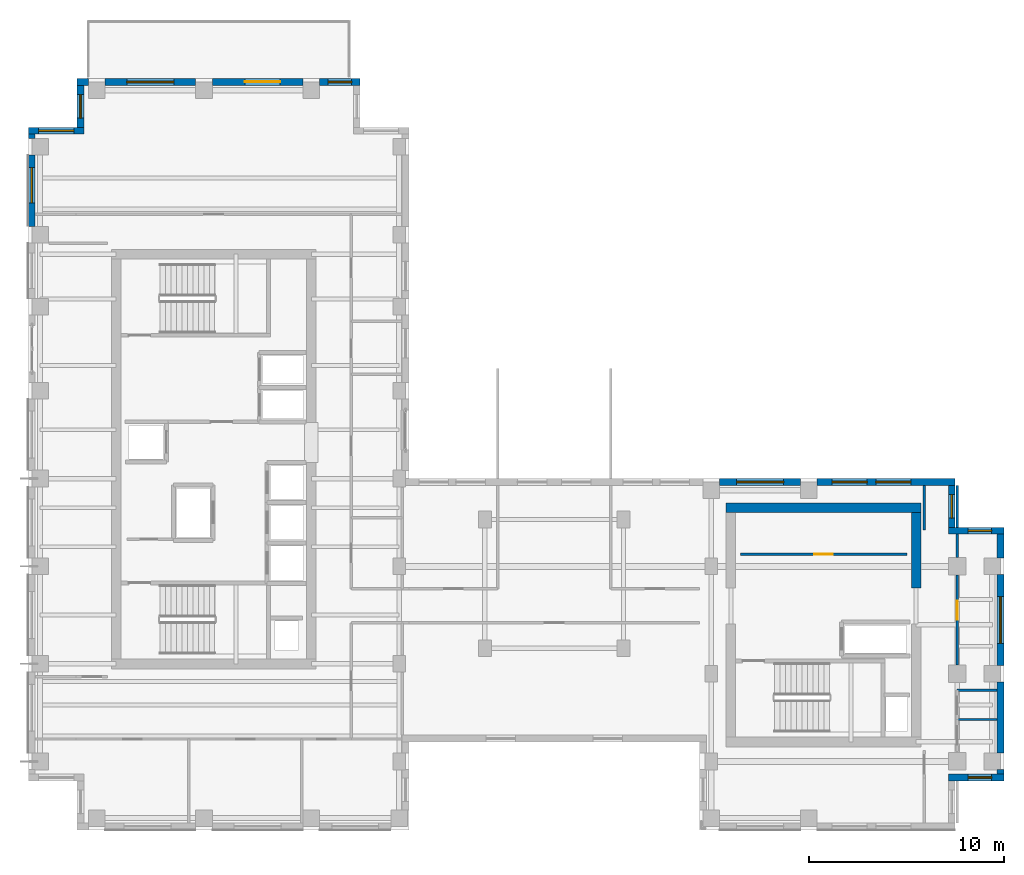
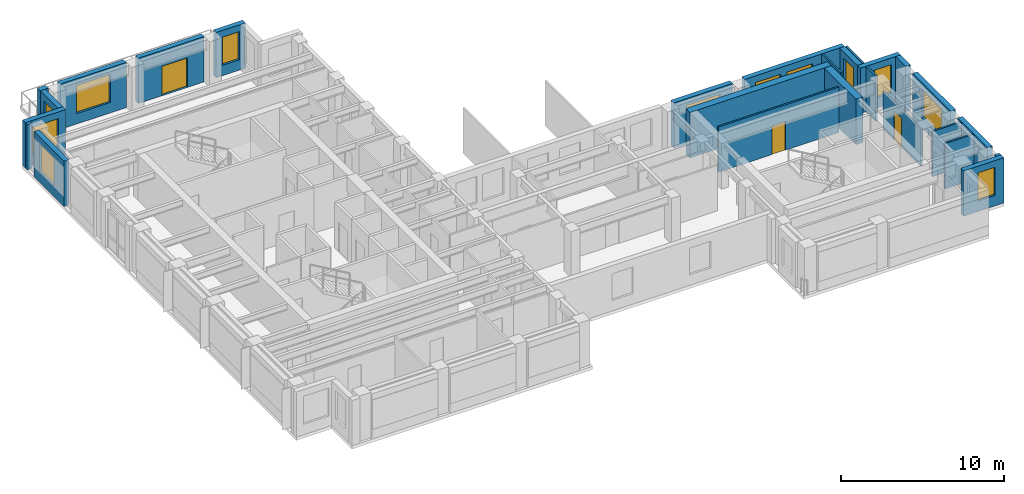
# One storey, part 10 of 14: 26 walls, 12 windows, 3 doors, 15 openings.
"""IFC4 building model written with IfcOpenShell, lengths in metres."""

from ifc_helpers import new_model, si_unit, direction, frame, frame_2d, origin, place, context, subcontext, project, spatial, rectangle, extrude, source, transform, mapped, material, layer, layer_set, type_object, element, fill, save


model = new_model("IFC4")

# Units and contexts
model_context = context("Model", 3, precision=1e-05, world=origin(), true_north=direction((0.0, 1.0)))
body_context = subcontext(model_context, "Body", "Model", "MODEL_VIEW")
ifc_project = project(units=[si_unit("LENGTHUNIT", "METRE"), si_unit("AREAUNIT", "SQUARE_METRE"), si_unit("VOLUMEUNIT", "CUBIC_METRE"), si_unit("PLANEANGLEUNIT", "RADIAN"), si_unit("MASSUNIT", "GRAM", prefix="KILO")], contexts=[model_context])

# Site, building, storey
site_placement = place(None, origin())
site = spatial("IfcSite", under=ifc_project, at=site_placement, CompositionType="ELEMENT")
building_placement = place(site_placement, origin())
building = spatial("IfcBuilding", under=site, at=building_placement, Name="Kharzan Plaza Tower", CompositionType="ELEMENT")
storey_placement = place(building_placement, frame((0.0, 0.0, 212.39990234375)))
storey = spatial("IfcBuildingStorey", under=building, at=storey_placement, Name="L57", CompositionType="ELEMENT", Elevation=212.39990234375)

# Wall, opening, window
ifc_material_1 = material(Name="Concrete C40/50", Category="concrete")
ifc_layer_1 = layer(ifc_material_1, 0.35009765625)
ifc_layer_set_1 = layer_set([ifc_layer_1], Name="Concrete C40/50")
wall_type_1 = type_object("IfcWallType", Name="WL-EXT-MAS-Z4", PredefinedType="SOLIDWALL", material=ifc_layer_set_1)
wall_1_placement = place(storey_placement, frame((17.0, 38.324951171875, 0.0), z_axis=(0.0, 0.0, 1.0), x_axis=(-1.0, 0.0, 0.0)))
wall_1 = element("IfcWall", 1, at=wall_1_placement, inside=storey, type_object=wall_type_1, Name="L57 Masonry-Frame Exterior Wall 03", PredefinedType="SOLIDWALL", context=body_context, shape_type="SweptSolid", body=[
    extrude(rectangle(XDim=2.076904296875, YDim=0.35009765625, at=frame_2d((1.03857421875, 0.0))), origin(), (0.0, 0.0, 1.0), 3.385009765625),
])
opening_1_placement = place(wall_1_placement, frame((0.4384765625, 0.0, 0.780029296875)))
opening_1 = element("IfcOpeningElement", 2, at=opening_1_placement, cuts=wall_1, Name="Opening W3", PredefinedType="OPENING", context=body_context, shape_type="SweptSolid", body=[
    extrude(rectangle(XDim=1.199951171875, YDim=2.10009765625, at=frame_2d((0.60009765625, 1.050048828125))), frame((0.0, 0.18505859375, 0.0), z_axis=(0.0, -1.0, 0.0), x_axis=(1.0, 0.0, 0.0)), (0.0, 0.0, 1.0), 0.3701171875),
])
ifc_material_2 = material(Name="Low-E Double Glazing", Category="glass")
window_type_1 = type_object("IfcWindowType", Name="WN-REC-1200x2100", PartitioningType="SINGLE_PANEL", PredefinedType="WINDOW", material=ifc_material_2)
shared_shape_1 = source(origin(), body_context, "Body", "SweptSolid", [
    extrude(rectangle(XDim=1.199951171875, YDim=2.10009765625, at=frame_2d((0.60009765625, 1.050048828125))), frame((0.0, 0.030029296875, 0.0), z_axis=(0.0, -1.0, 0.0), x_axis=(1.0, 0.0, 0.0)), (0.0, 0.0, 1.0), 0.06005859375),
])
window_1_placement = place(opening_1_placement, origin())
window_1 = element("IfcWindow", 3, at=window_1_placement, inside=storey, type_object=window_type_1, Name="L57 Recessed Solar-Control Window 03-1", OverallHeight=2.10009765625, OverallWidth=1.199951171875, PartitioningType="SINGLE_PANEL", PredefinedType="WINDOW", context=body_context, shape_type="MappedRepresentation", body=[
    mapped(shared_shape_1, transform((0.0, 0.0, 0.0), x_axis=(1.0, 0.0, 0.0), y_axis=(0.0, 1.0, 0.0), z_axis=(0.0, 0.0, 1.0))),
])
fill(opening_1, window_1)

# Wall, opening, door
wall_2_placement = place(storey_placement, frame((14.076904296875, 38.324951171875, 0.0), z_axis=(0.0, 0.0, 1.0), x_axis=(-1.0, 0.0, 0.0)))
wall_2 = element("IfcWall", 4, at=wall_2_placement, inside=storey, type_object=wall_type_1, Name="L57 Masonry-Frame Exterior Wall 04", PredefinedType="SOLIDWALL", context=body_context, shape_type="SweptSolid", body=[
    extrude(rectangle(XDim=4.65380859375, YDim=0.35009765625, at=frame_2d((2.326904296875, 0.0))), origin(), (0.0, 0.0, 1.0), 3.385009765625),
])
opening_2_placement = place(wall_2_placement, frame((1.177001953125, 0.0, 0.0)))
opening_2 = element("IfcOpeningElement", 5, at=opening_2_placement, cuts=wall_2, Name="Opening ED2", PredefinedType="OPENING", context=body_context, shape_type="SweptSolid", body=[
    extrude(rectangle(XDim=1.800048828125, YDim=2.199951171875, at=frame_2d((0.89990234375, 1.10009765625))), frame((0.0, 0.18505859375, 0.0), z_axis=(0.0, -1.0, 0.0), x_axis=(1.0, 0.0, 0.0)), (0.0, 0.0, 1.0), 0.3701171875),
])
ifc_material_3 = material(Name="Thermally Broken Anodized Bronze Aluminium", Category="aluminium")
door_type_1 = type_object("IfcDoorType", Name="DR-EXT-TERR-1800", OperationType="DOUBLE_DOOR_SINGLE_SWING", PredefinedType="DOOR", material=ifc_material_3)
shared_shape_2 = source(origin(), body_context, "Body", "SweptSolid", [
    extrude(rectangle(XDim=1.800048828125, YDim=2.199951171875, at=frame_2d((0.89990234375, 1.10009765625))), frame((0.0, 0.02490234375, 0.0), z_axis=(0.0, -1.0, 0.0), x_axis=(1.0, 0.0, 0.0)), (0.0, 0.0, 1.0), 0.050048828125),
])
door_1_placement = place(opening_2_placement, frame((1.800048828125, 0.0, 0.0), z_axis=(0.0, 0.0, 1.0), x_axis=(-1.0, 0.0, 0.0)))
door_1 = element("IfcDoor", 6, at=door_1_placement, inside=storey, type_object=door_type_1, Name="L57 Walkable Sky-Terrace Access Door", OperationType="DOUBLE_DOOR_SINGLE_SWING", OverallHeight=2.199951171875, OverallWidth=1.800048828125, PredefinedType="DOOR", context=body_context, shape_type="MappedRepresentation", body=[
    mapped(shared_shape_2, transform((0.0, 0.0, 0.0), x_axis=(1.0, 0.0, 0.0), y_axis=(0.0, 1.0, 0.0), z_axis=(0.0, 0.0, 1.0))),
])
fill(opening_2, door_1)

# Wall, opening, window
wall_3_placement = place(storey_placement, frame((8.576904296875, 38.324951171875, 0.0), z_axis=(0.0, 0.0, 1.0), x_axis=(-1.0, 0.0, 0.0)))
wall_3 = element("IfcWall", 7, at=wall_3_placement, inside=storey, type_object=wall_type_1, Name="L57 Masonry-Frame Exterior Wall 05", PredefinedType="SOLIDWALL", context=body_context, shape_type="SweptSolid", body=[
    extrude(rectangle(XDim=4.65380859375, YDim=0.35009765625, at=frame_2d((2.326904296875, 0.0))), origin(), (0.0, 0.0, 1.0), 3.385009765625),
])
opening_3_placement = place(wall_3_placement, frame((1.126953125, 0.0, 0.780029296875)))
opening_3 = element("IfcOpeningElement", 8, at=opening_3_placement, cuts=wall_3, Name="Opening W2", PredefinedType="OPENING", context=body_context, shape_type="SweptSolid", body=[
    extrude(rectangle(XDim=2.39990234375, YDim=2.10009765625, at=frame_2d((1.199951171875, 1.050048828125))), frame((0.0, 0.18505859375, 0.0), z_axis=(0.0, -1.0, 0.0), x_axis=(1.0, 0.0, 0.0)), (0.0, 0.0, 1.0), 0.3701171875),
])
window_type_2 = type_object("IfcWindowType", Name="WN-REC-2400x2100", PartitioningType="SINGLE_PANEL", PredefinedType="WINDOW", material=ifc_material_2)
shared_shape_3 = source(origin(), body_context, "Body", "SweptSolid", [
    extrude(rectangle(XDim=2.39990234375, YDim=2.10009765625, at=frame_2d((1.199951171875, 1.050048828125))), frame((0.0, 0.030029296875, 0.0), z_axis=(0.0, -1.0, 0.0), x_axis=(1.0, 0.0, 0.0)), (0.0, 0.0, 1.0), 0.06005859375),
])
window_2_placement = place(opening_3_placement, origin())
window_2 = element("IfcWindow", 9, at=window_2_placement, inside=storey, type_object=window_type_2, Name="L57 Wide Recessed Solar-Control Window 05-1", OverallHeight=2.10009765625, OverallWidth=2.39990234375, PartitioningType="SINGLE_PANEL", PredefinedType="WINDOW", context=body_context, shape_type="MappedRepresentation", body=[
    mapped(shared_shape_3, transform((0.0, 0.0, 0.0), x_axis=(1.0, 0.0, 0.0), y_axis=(0.0, 1.0, 0.0), z_axis=(0.0, 0.0, 1.0))),
])
fill(opening_3, window_2)

wall_4_placement = place(storey_placement, frame((2.675048828125, 38.152099609375, 0.0), z_axis=(0.0, 0.0, 1.0), x_axis=(0.0, -1.0, 0.0)))
wall_4 = element("IfcWall", 10, at=wall_4_placement, inside=storey, type_object=wall_type_1, Name="L57 Masonry-Frame Exterior Wall 07", PredefinedType="SOLIDWALL", context=body_context, shape_type="SweptSolid", body=[
    extrude(rectangle(XDim=2.154052734375, YDim=0.35009765625, at=frame_2d((1.0771484375, 0.0))), origin(), (0.0, 0.0, 1.0), 3.385009765625),
])
opening_4_placement = place(wall_4_placement, frame((0.47705078125, 0.0, 0.780029296875)))
opening_4 = element("IfcOpeningElement", 11, at=opening_4_placement, cuts=wall_4, Name="Opening W3", PredefinedType="OPENING", context=body_context, shape_type="SweptSolid", body=[
    extrude(rectangle(XDim=1.199951171875, YDim=2.10009765625, at=frame_2d((0.60009765625, 1.050048828125))), frame((0.0, 0.18505859375, 0.0), z_axis=(0.0, -1.0, 0.0), x_axis=(1.0, 0.0, 0.0)), (0.0, 0.0, 1.0), 0.3701171875),
])
window_3_placement = place(opening_4_placement, origin())
window_3 = element("IfcWindow", 12, at=window_3_placement, inside=storey, type_object=window_type_1, Name="L57 Recessed Solar-Control Window 07-1", OverallHeight=2.10009765625, OverallWidth=1.199951171875, PartitioningType="SINGLE_PANEL", PredefinedType="WINDOW", context=body_context, shape_type="MappedRepresentation", body=[
    mapped(shared_shape_1, transform((0.0, 0.0, 0.0), x_axis=(1.0, 0.0, 0.0), y_axis=(0.0, 1.0, 0.0), z_axis=(0.0, 0.0, 1.0))),
])
fill(opening_4, window_3)

wall_5_placement = place(storey_placement, frame((2.85009765625, 35.824951171875, 0.0), z_axis=(0.0, 0.0, 1.0), x_axis=(-1.0, 0.0, 0.0)))
wall_5 = element("IfcWall", 13, at=wall_5_placement, inside=storey, type_object=wall_type_1, Name="L57 Masonry-Frame Exterior Wall 08", PredefinedType="SOLIDWALL", context=body_context, shape_type="SweptSolid", body=[
    extrude(rectangle(XDim=2.85009765625, YDim=0.35009765625, at=frame_2d((1.425048828125, 0.0))), origin(), (0.0, 0.0, 1.0), 3.385009765625),
])
opening_5_placement = place(wall_5_placement, frame((0.52490234375, 0.0, 0.780029296875)))
opening_5 = element("IfcOpeningElement", 14, at=opening_5_placement, cuts=wall_5, Name="Opening W1", PredefinedType="OPENING", context=body_context, shape_type="SweptSolid", body=[
    extrude(rectangle(XDim=1.800048828125, YDim=2.10009765625, at=frame_2d((0.89990234375, 1.050048828125))), frame((0.0, 0.18505859375, 0.0), z_axis=(0.0, -1.0, 0.0), x_axis=(1.0, 0.0, 0.0)), (0.0, 0.0, 1.0), 0.3701171875),
])
window_type_3 = type_object("IfcWindowType", Name="WN-REC-1800x2100", PartitioningType="SINGLE_PANEL", PredefinedType="WINDOW", material=ifc_material_2)
shared_shape_4 = source(origin(), body_context, "Body", "SweptSolid", [
    extrude(rectangle(XDim=1.800048828125, YDim=2.10009765625, at=frame_2d((0.89990234375, 1.050048828125))), frame((0.0, 0.030029296875, 0.0), z_axis=(0.0, -1.0, 0.0), x_axis=(1.0, 0.0, 0.0)), (0.0, 0.0, 1.0), 0.06005859375),
])
window_4_placement = place(opening_5_placement, origin())
window_4 = element("IfcWindow", 15, at=window_4_placement, inside=storey, type_object=window_type_3, Name="L57 Recessed Solar-Control Window 08-1", OverallHeight=2.10009765625, OverallWidth=1.800048828125, PartitioningType="SINGLE_PANEL", PredefinedType="WINDOW", context=body_context, shape_type="MappedRepresentation", body=[
    mapped(shared_shape_4, transform((0.0, 0.0, 0.0), x_axis=(1.0, 0.0, 0.0), y_axis=(0.0, 1.0, 0.0), z_axis=(0.0, 0.0, 1.0))),
])
fill(opening_5, window_4)

wall_6_placement = place(storey_placement, frame((0.175048828125, 34.576904296875, 0.0), z_axis=(0.0, 0.0, 1.0), x_axis=(0.0, -1.0, 0.0)))
wall_6 = element("IfcWall", 16, at=wall_6_placement, inside=storey, type_object=wall_type_1, Name="L57 Masonry-Frame Exterior Wall 10", PredefinedType="SOLIDWALL", context=body_context, shape_type="SweptSolid", body=[
    extrude(rectangle(XDim=3.65380859375, YDim=0.35009765625, at=frame_2d((1.826904296875, 0.0))), origin(), (0.0, 0.0, 1.0), 3.385009765625),
])
opening_6_placement = place(wall_6_placement, frame((0.6484375, 0.0, 0.780029296875)))
opening_6 = element("IfcOpeningElement", 17, at=opening_6_placement, cuts=wall_6, Name="Opening W1", PredefinedType="OPENING", context=body_context, shape_type="SweptSolid", body=[
    extrude(rectangle(XDim=1.800048828125, YDim=2.10009765625, at=frame_2d((0.89990234375, 1.050048828125))), frame((0.0, 0.18505859375, 0.0), z_axis=(0.0, -1.0, 0.0), x_axis=(1.0, 0.0, 0.0)), (0.0, 0.0, 1.0), 0.3701171875),
])
window_5_placement = place(opening_6_placement, origin())
window_5 = element("IfcWindow", 18, at=window_5_placement, inside=storey, type_object=window_type_3, Name="L57 Recessed Solar-Control Window 10-1", OverallHeight=2.10009765625, OverallWidth=1.800048828125, PartitioningType="SINGLE_PANEL", PredefinedType="WINDOW", context=body_context, shape_type="MappedRepresentation", body=[
    mapped(shared_shape_4, transform((0.0, 0.0, 0.0), x_axis=(1.0, 0.0, 0.0), y_axis=(0.0, 1.0, 0.0), z_axis=(0.0, 0.0, 1.0))),
])
fill(opening_6, window_5)

wall_7_placement = place(storey_placement, frame((47.14990234375, 2.675048828125, 0.0), z_axis=(0.0, 0.0, 1.0), x_axis=(1.0, 0.0, 0.0)))
wall_7 = element("IfcWall", 19, at=wall_7_placement, inside=storey, type_object=wall_type_1, Name="L57 Masonry-Frame Exterior Wall 33", PredefinedType="SOLIDWALL", context=body_context, shape_type="SweptSolid", body=[
    extrude(rectangle(XDim=2.85009765625, YDim=0.35009765625, at=frame_2d((1.425048828125, 0.0))), origin(), (0.0, 0.0, 1.0), 3.385009765625),
])
opening_7_placement = place(wall_7_placement, frame((1.014892578125, 0.0, 0.780029296875)))
opening_7 = element("IfcOpeningElement", 20, at=opening_7_placement, cuts=wall_7, Name="Opening W3", PredefinedType="OPENING", context=body_context, shape_type="SweptSolid", body=[
    extrude(rectangle(XDim=1.199951171875, YDim=2.10009765625, at=frame_2d((0.60009765625, 1.050048828125))), frame((0.0, 0.18505859375, 0.0), z_axis=(0.0, -1.0, 0.0), x_axis=(1.0, 0.0, 0.0)), (0.0, 0.0, 1.0), 0.3701171875),
])
window_6_placement = place(opening_7_placement, origin())
window_6 = element("IfcWindow", 21, at=window_6_placement, inside=storey, type_object=window_type_1, Name="L57 Recessed Solar-Control Window 33-1", OverallHeight=2.10009765625, OverallWidth=1.199951171875, PartitioningType="SINGLE_PANEL", PredefinedType="WINDOW", context=body_context, shape_type="MappedRepresentation", body=[
    mapped(shared_shape_1, transform((0.0, 0.0, 0.0), x_axis=(1.0, 0.0, 0.0), y_axis=(0.0, 1.0, 0.0), z_axis=(0.0, 0.0, 1.0))),
])
fill(opening_7, window_6)

wall_8_placement = place(storey_placement, frame((49.824951171875, 8.423095703125, 0.0), z_axis=(0.0, 0.0, 1.0), x_axis=(0.0, 1.0, 0.0)))
wall_8 = element("IfcWall", 22, at=wall_8_placement, inside=storey, type_object=wall_type_1, Name="L57 Masonry-Frame Exterior Wall 36", PredefinedType="SOLIDWALL", context=body_context, shape_type="SweptSolid", body=[
    extrude(rectangle(XDim=4.65380859375, YDim=0.35009765625, at=frame_2d((2.326904296875, 0.0))), origin(), (0.0, 0.0, 1.0), 3.385009765625),
])
opening_8_placement = place(wall_8_placement, frame((1.126953125, 0.0, 0.780029296875)))
opening_8 = element("IfcOpeningElement", 23, at=opening_8_placement, cuts=wall_8, Name="Opening W2", PredefinedType="OPENING", context=body_context, shape_type="SweptSolid", body=[
    extrude(rectangle(XDim=2.39990234375, YDim=2.10009765625, at=frame_2d((1.199951171875, 1.050048828125))), frame((0.0, 0.18505859375, 0.0), z_axis=(0.0, -1.0, 0.0), x_axis=(1.0, 0.0, 0.0)), (0.0, 0.0, 1.0), 0.3701171875),
])
window_7_placement = place(opening_8_placement, origin())
window_7 = element("IfcWindow", 24, at=window_7_placement, inside=storey, type_object=window_type_2, Name="L57 Wide Recessed Solar-Control Window 36-1", OverallHeight=2.10009765625, OverallWidth=2.39990234375, PartitioningType="SINGLE_PANEL", PredefinedType="WINDOW", context=body_context, shape_type="MappedRepresentation", body=[
    mapped(shared_shape_3, transform((0.0, 0.0, 0.0), x_axis=(1.0, 0.0, 0.0), y_axis=(0.0, 1.0, 0.0), z_axis=(0.0, 0.0, 1.0))),
])
fill(opening_8, window_7)

wall_9_placement = place(storey_placement, frame((50.0, 15.324951171875, 0.0), z_axis=(0.0, 0.0, 1.0), x_axis=(-1.0, 0.0, 0.0)))
wall_9 = element("IfcWall", 25, at=wall_9_placement, inside=storey, type_object=wall_type_1, Name="L57 Masonry-Frame Exterior Wall 38", PredefinedType="SOLIDWALL", context=body_context, shape_type="SweptSolid", body=[
    extrude(rectangle(XDim=2.85009765625, YDim=0.35009765625, at=frame_2d((1.425048828125, 0.0))), origin(), (0.0, 0.0, 1.0), 3.385009765625),
])
opening_9_placement = place(wall_9_placement, frame((0.635009765625, 0.0, 0.780029296875)))
opening_9 = element("IfcOpeningElement", 26, at=opening_9_placement, cuts=wall_9, Name="Opening W3", PredefinedType="OPENING", context=body_context, shape_type="SweptSolid", body=[
    extrude(rectangle(XDim=1.199951171875, YDim=2.10009765625, at=frame_2d((0.60009765625, 1.050048828125))), frame((0.0, 0.18505859375, 0.0), z_axis=(0.0, -1.0, 0.0), x_axis=(1.0, 0.0, 0.0)), (0.0, 0.0, 1.0), 0.3701171875),
])
window_8_placement = place(opening_9_placement, origin())
window_8 = element("IfcWindow", 27, at=window_8_placement, inside=storey, type_object=window_type_1, Name="L57 Recessed Solar-Control Window 38-1", OverallHeight=2.10009765625, OverallWidth=1.199951171875, PartitioningType="SINGLE_PANEL", PredefinedType="WINDOW", context=body_context, shape_type="MappedRepresentation", body=[
    mapped(shared_shape_1, transform((0.0, 0.0, 0.0), x_axis=(1.0, 0.0, 0.0), y_axis=(0.0, 1.0, 0.0), z_axis=(0.0, 0.0, 1.0))),
])
fill(opening_9, window_8)

wall_10_placement = place(storey_placement, frame((47.324951171875, 15.498046875, 0.0), z_axis=(0.0, 0.0, 1.0), x_axis=(0.0, 1.0, 0.0)))
wall_10 = element("IfcWall", 28, at=wall_10_placement, inside=storey, type_object=wall_type_1, Name="L57 Masonry-Frame Exterior Wall 39", PredefinedType="SOLIDWALL", context=body_context, shape_type="SweptSolid", body=[
    extrude(rectangle(XDim=2.154052734375, YDim=0.35009765625, at=frame_2d((1.0771484375, 0.0))), origin(), (0.0, 0.0, 1.0), 3.385009765625),
])
opening_10_placement = place(wall_10_placement, frame((0.47705078125, 0.0, 0.780029296875)))
opening_10 = element("IfcOpeningElement", 29, at=opening_10_placement, cuts=wall_10, Name="Opening W3", PredefinedType="OPENING", context=body_context, shape_type="SweptSolid", body=[
    extrude(rectangle(XDim=1.199951171875, YDim=2.10009765625, at=frame_2d((0.60009765625, 1.050048828125))), frame((0.0, 0.18505859375, 0.0), z_axis=(0.0, -1.0, 0.0), x_axis=(1.0, 0.0, 0.0)), (0.0, 0.0, 1.0), 0.3701171875),
])
window_9_placement = place(opening_10_placement, origin())
window_9 = element("IfcWindow", 30, at=window_9_placement, inside=storey, type_object=window_type_1, Name="L57 Recessed Solar-Control Window 39-1", OverallHeight=2.10009765625, OverallWidth=1.199951171875, PartitioningType="SINGLE_PANEL", PredefinedType="WINDOW", context=body_context, shape_type="MappedRepresentation", body=[
    mapped(shared_shape_1, transform((0.0, 0.0, 0.0), x_axis=(1.0, 0.0, 0.0), y_axis=(0.0, 1.0, 0.0), z_axis=(0.0, 0.0, 1.0))),
])
fill(opening_10, window_9)

# Wall, openings, windows
wall_11_placement = place(storey_placement, frame((47.5, 17.824951171875, 0.0), z_axis=(0.0, 0.0, 1.0), x_axis=(-1.0, 0.0, 0.0)))
wall_11 = element("IfcWall", 31, at=wall_11_placement, inside=storey, type_object=wall_type_1, Name="L57 Masonry-Frame Exterior Wall 40", PredefinedType="SOLIDWALL", context=body_context, shape_type="SweptSolid", body=[
    extrude(rectangle(XDim=7.076904296875, YDim=0.35009765625, at=frame_2d((3.53857421875, 0.0))), origin(), (0.0, 0.0, 1.0), 3.385009765625),
])
opening_11_placement = place(wall_11_placement, frame((2.272216796875, 0.0, 0.780029296875)))
opening_11 = element("IfcOpeningElement", 32, at=opening_11_placement, cuts=wall_11, Name="Opening W1", PredefinedType="OPENING", context=body_context, shape_type="SweptSolid", body=[
    extrude(rectangle(XDim=1.800048828125, YDim=2.10009765625, at=frame_2d((0.89990234375, 1.050048828125))), frame((0.0, 0.18505859375, 0.0), z_axis=(0.0, -1.0, 0.0), x_axis=(1.0, 0.0, 0.0)), (0.0, 0.0, 1.0), 0.3701171875),
])
opening_12_placement = place(wall_11_placement, frame((4.5146484375, 0.0, 0.780029296875)))
opening_12 = element("IfcOpeningElement", 33, at=opening_12_placement, cuts=wall_11, Name="Opening W1", PredefinedType="OPENING", context=body_context, shape_type="SweptSolid", body=[
    extrude(rectangle(XDim=1.800048828125, YDim=2.10009765625, at=frame_2d((0.89990234375, 1.050048828125))), frame((0.0, 0.18505859375, 0.0), z_axis=(0.0, -1.0, 0.0), x_axis=(1.0, 0.0, 0.0)), (0.0, 0.0, 1.0), 0.3701171875),
])
window_10_placement = place(opening_11_placement, origin())
window_10 = element("IfcWindow", 34, at=window_10_placement, inside=storey, type_object=window_type_3, Name="L57 Recessed Solar-Control Window 40-1", OverallHeight=2.10009765625, OverallWidth=1.800048828125, PartitioningType="SINGLE_PANEL", PredefinedType="WINDOW", context=body_context, shape_type="MappedRepresentation", body=[
    mapped(shared_shape_4, transform((0.0, 0.0, 0.0), x_axis=(1.0, 0.0, 0.0), y_axis=(0.0, 1.0, 0.0), z_axis=(0.0, 0.0, 1.0))),
])
fill(opening_11, window_10)
window_11_placement = place(opening_12_placement, origin())
window_11 = element("IfcWindow", 35, at=window_11_placement, inside=storey, type_object=window_type_3, Name="L57 Recessed Solar-Control Window 40-2", OverallHeight=2.10009765625, OverallWidth=1.800048828125, PartitioningType="SINGLE_PANEL", PredefinedType="WINDOW", context=body_context, shape_type="MappedRepresentation", body=[
    mapped(shared_shape_4, transform((0.0, 0.0, 0.0), x_axis=(1.0, 0.0, 0.0), y_axis=(0.0, 1.0, 0.0), z_axis=(0.0, 0.0, 1.0))),
])
fill(opening_12, window_11)

# Wall, opening, window
wall_12_placement = place(storey_placement, frame((39.576904296875, 17.824951171875, 0.0), z_axis=(0.0, 0.0, 1.0), x_axis=(-1.0, 0.0, 0.0)))
wall_12 = element("IfcWall", 36, at=wall_12_placement, inside=storey, type_object=wall_type_1, Name="L57 Masonry-Frame Exterior Wall 41", PredefinedType="SOLIDWALL", context=body_context, shape_type="SweptSolid", body=[
    extrude(rectangle(XDim=4.15380859375, YDim=0.35009765625, at=frame_2d((2.076904296875, 0.0))), origin(), (0.0, 0.0, 1.0), 3.385009765625),
])
opening_13_placement = place(wall_12_placement, frame((0.876953125, 0.0, 0.780029296875)))
opening_13 = element("IfcOpeningElement", 37, at=opening_13_placement, cuts=wall_12, Name="Opening W2", PredefinedType="OPENING", context=body_context, shape_type="SweptSolid", body=[
    extrude(rectangle(XDim=2.39990234375, YDim=2.10009765625, at=frame_2d((1.199951171875, 1.050048828125))), frame((0.0, 0.18505859375, 0.0), z_axis=(0.0, -1.0, 0.0), x_axis=(1.0, 0.0, 0.0)), (0.0, 0.0, 1.0), 0.3701171875),
])
window_12_placement = place(opening_13_placement, origin())
window_12 = element("IfcWindow", 38, at=window_12_placement, inside=storey, type_object=window_type_2, Name="L57 Wide Recessed Solar-Control Window 41-1", OverallHeight=2.10009765625, OverallWidth=2.39990234375, PartitioningType="SINGLE_PANEL", PredefinedType="WINDOW", context=body_context, shape_type="MappedRepresentation", body=[
    mapped(shared_shape_3, transform((0.0, 0.0, 0.0), x_axis=(1.0, 0.0, 0.0), y_axis=(0.0, 1.0, 0.0), z_axis=(0.0, 0.0, 1.0))),
])
fill(opening_13, window_12)

# Wall, opening, door
ifc_material_4 = material(Name="Fire-Rated Gypsum Board Partition", Category="gypsum")
ifc_layer_2 = layer(ifc_material_4, 0.125)
ifc_layer_set_2 = layer_set([ifc_layer_2], Name="Fire-Rated Gypsum Board Partition")
wall_type_2 = type_object("IfcWallType", Name="WL-INT-PART-125", PredefinedType="PARTITIONING", material=ifc_layer_set_2)
wall_13_placement = place(storey_placement, frame((36.5, 14.1201171875, 0.0), z_axis=(0.0, 0.0, 1.0), x_axis=(1.0, 0.0, 0.0)))
wall_13 = element("IfcWall", 39, at=wall_13_placement, inside=storey, type_object=wall_type_2, Name="L57 Interior Partition CB-RBLS1", PredefinedType="PARTITIONING", context=body_context, shape_type="SweptSolid", body=[
    extrude(rectangle(XDim=8.52001953125, YDim=0.125, at=frame_2d((4.260009765625, 0.0))), origin(), (0.0, 0.0, 1.0), 3.385009765625),
])
opening_14_placement = place(wall_13_placement, frame((3.784912109375, 0.0, 0.0)))
opening_14 = element("IfcOpeningElement", 40, at=opening_14_placement, cuts=wall_13, Name="Opening OD1", PredefinedType="OPENING", context=body_context, shape_type="SweptSolid", body=[
    extrude(rectangle(XDim=0.949951171875, YDim=2.14990234375, at=frame_2d((0.47509765625, 1.074951171875))), frame((0.0, 0.072509765625, 0.0), z_axis=(0.0, -1.0, 0.0), x_axis=(1.0, 0.0, 0.0)), (0.0, 0.0, 1.0), 0.14501953125),
])
ifc_material_5 = material(Name="Acoustic Solid-Core Stained Oak", Category="timber")
door_type_2 = type_object("IfcDoorType", Name="DR-OFF-SINGLE", OperationType="NOTDEFINED", PredefinedType="DOOR", material=ifc_material_5)
shared_shape_5 = source(origin(), body_context, "Body", "SweptSolid", [
    extrude(rectangle(XDim=0.949951171875, YDim=2.14990234375, at=frame_2d((0.47509765625, 1.074951171875))), frame((0.0, 0.02490234375, 0.0), z_axis=(0.0, -1.0, 0.0), x_axis=(1.0, 0.0, 0.0)), (0.0, 0.0, 1.0), 0.050048828125),
])
door_2_placement = place(opening_14_placement, origin())
door_2 = element("IfcDoor", 41, at=door_2_placement, inside=storey, type_object=door_type_2, Name="L57 Mail Room Door", OperationType="SINGLE_SWING_LEFT", OverallHeight=2.14990234375, OverallWidth=0.949951171875, PredefinedType="DOOR", context=body_context, shape_type="MappedRepresentation", body=[
    mapped(shared_shape_5, transform((0.0, 0.0, 0.0), x_axis=(1.0, 0.0, 0.0), y_axis=(0.0, 1.0, 0.0), z_axis=(0.0, 0.0, 1.0))),
])
fill(opening_14, door_2)

wall_14_placement = place(storey_placement, frame((47.60009765625, 8.449951171875, 0.0), z_axis=(0.0, 0.0, 1.0), x_axis=(0.0, 1.0, 0.0)))
wall_14 = element("IfcWall", 42, at=wall_14_placement, inside=storey, type_object=wall_type_2, Name="L57 Interior Partition SH-B0W1-S1", PredefinedType="PARTITIONING", context=body_context, shape_type="SweptSolid", body=[
    extrude(rectangle(XDim=4.60009765625, YDim=0.125, at=frame_2d((2.300048828125, 0.0))), origin(), (0.0, 0.0, 1.0), 2.773193359375),
])
opening_15_placement = place(wall_14_placement, frame((2.324951171875, 0.0, 0.0)))
opening_15 = element("IfcOpeningElement", 43, at=opening_15_placement, cuts=wall_14, Name="Opening OD1", PredefinedType="OPENING", context=body_context, shape_type="SweptSolid", body=[
    extrude(rectangle(XDim=0.949951171875, YDim=2.14990234375, at=frame_2d((0.47509765625, 1.074951171875))), frame((0.0, 0.072509765625, 0.0), z_axis=(0.0, -1.0, 0.0), x_axis=(1.0, 0.0, 0.0)), (0.0, 0.0, 1.0), 0.14501953125),
])
door_3_placement = place(opening_15_placement, origin())
door_3 = element("IfcDoor", 44, at=door_3_placement, inside=storey, type_object=door_type_2, Name="L57 Open Engineering Workspace Door", OperationType="SINGLE_SWING_LEFT", OverallHeight=2.14990234375, OverallWidth=0.949951171875, PredefinedType="DOOR", context=body_context, shape_type="MappedRepresentation", body=[
    mapped(shared_shape_5, transform((0.0, 0.0, 0.0), x_axis=(1.0, 0.0, 0.0), y_axis=(0.0, 1.0, 0.0), z_axis=(0.0, 0.0, 1.0))),
])
fill(opening_15, door_3)

# Walls
shared_shape_6 = source(origin(), body_context, "Body", "SweptSolid", [
    extrude(rectangle(XDim=2.2978515625, YDim=0.125, at=frame_2d((1.14892578125, 0.0))), origin(), (0.0, 0.0, 1.0), 3.385009765625),
])
wall_15_placement = place(storey_placement, frame((45.919921875, 15.35009765625, 0.0), z_axis=(0.0, 0.0, 1.0), x_axis=(0.0, 1.0, 0.0)))
element("IfcWall", 45, at=wall_15_placement, inside=storey, type_object=wall_type_2, Name="L57 Interior Partition SH-RBNE0", PredefinedType="PARTITIONING", context=body_context, shape_type="MappedRepresentation", body=[
    mapped(shared_shape_6, transform((0.0, 0.0, 0.0), x_axis=(1.0, 0.0, 0.0), y_axis=(0.0, 1.0, 0.0), z_axis=(0.0, 0.0, 1.0))),
])
ifc_material_6 = material(Name="Concrete C50/60", Category="concrete")
ifc_layer_3 = layer(ifc_material_6, 0.5)
ifc_layer_set_3 = layer_set([ifc_layer_3], Name="Concrete C50/60")
wall_type_3 = type_object("IfcWallType", Name="WL-CORE-500", PredefinedType="SHEAR", material=ifc_layer_set_3)
shared_shape_7 = source(origin(), body_context, "Body", "SweptSolid", [
    extrude(rectangle(XDim=3.85009765625, YDim=0.5, at=frame_2d((1.925048828125, 0.0))), origin(), (0.0, 0.0, 1.0), 3.400146484375),
])
wall_16_placement = place(storey_placement, frame((45.5, 12.39990234375, 0.0), z_axis=(0.0, 0.0, 1.0), x_axis=(0.0, 1.0, 0.0)))
element("IfcWall", 46, at=wall_16_placement, inside=storey, type_object=wall_type_3, Name="L57 CORE-B east shear pier 2", PredefinedType="SHEAR", context=body_context, shape_type="MappedRepresentation", body=[
    mapped(shared_shape_7, transform((0.0, 0.0, 0.0), x_axis=(1.0, 0.0, 0.0), y_axis=(0.0, 1.0, 0.0), z_axis=(0.0, 0.0, 1.0))),
])
shared_shape_8 = source(origin(), body_context, "Body", "SweptSolid", [
    extrude(rectangle(XDim=10.0, YDim=0.5, at=frame_2d((5.0, 0.0))), origin(), (0.0, 0.0, 1.0), 3.400146484375),
])
wall_17_placement = place(storey_placement, frame((35.75, 16.5, 0.0), z_axis=(0.0, 0.0, 1.0), x_axis=(1.0, 0.0, 0.0)))
element("IfcWall", 47, at=wall_17_placement, inside=storey, type_object=wall_type_3, Name="L57 CORE-B north RC shear wall", PredefinedType="SHEAR", context=body_context, shape_type="MappedRepresentation", body=[
    mapped(shared_shape_8, transform((0.0, 0.0, 0.0), x_axis=(1.0, 0.0, 0.0), y_axis=(0.0, 1.0, 0.0), z_axis=(0.0, 0.0, 1.0))),
])
shared_shape_9 = source(origin(), body_context, "Body", "SweptSolid", [
    extrude(rectangle(XDim=0.576904296875, YDim=0.35009765625, at=frame_2d((0.28857421875, 0.0))), origin(), (0.0, 0.0, 1.0), 3.385009765625),
])
wall_18_placement = place(storey_placement, frame((3.076904296875, 38.324951171875, 0.0), z_axis=(0.0, 0.0, 1.0), x_axis=(-1.0, 0.0, 0.0)))
element("IfcWall", 48, at=wall_18_placement, inside=storey, type_object=wall_type_1, Name="L57 Masonry-Frame Exterior Wall 06", PredefinedType="SOLIDWALL", context=body_context, shape_type="MappedRepresentation", body=[
    mapped(shared_shape_9, transform((0.0, 0.0, 0.0), x_axis=(1.0, 0.0, 0.0), y_axis=(0.0, 1.0, 0.0), z_axis=(0.0, 0.0, 1.0))),
])
shared_shape_10 = source(origin(), body_context, "Body", "SweptSolid", [
    extrude(rectangle(XDim=0.22900390625, YDim=0.35009765625, at=frame_2d((0.114501953125, 0.0))), origin(), (0.0, 0.0, 1.0), 3.385009765625),
])
for number, where, z_axis, x_axis, name in (
    (49, (0.175048828125, 35.652099609375, 0.0), (0.0, 0.0, 1.0), (0.0, -1.0, 0.0), "L57 Masonry-Frame Exterior Wall 09"),
    (50, (49.824951171875, 2.847900390625, 0.0), (0.0, 0.0, 1.0), (0.0, 1.0, 0.0), "L57 Masonry-Frame Exterior Wall 34"),
):
    element("IfcWall", number, at=place(storey_placement, frame(where, z_axis=z_axis, x_axis=x_axis)), inside=storey, type_object=wall_type_1, Name=name, PredefinedType="SOLIDWALL", context=body_context, shape_type="MappedRepresentation", body=[
        mapped(shared_shape_10, transform((0.0, 0.0, 0.0), x_axis=(1.0, 0.0, 0.0), y_axis=(0.0, 1.0, 0.0), z_axis=(0.0, 0.0, 1.0))),
    ])
shared_shape_11 = source(origin(), body_context, "Body", "SweptSolid", [
    extrude(rectangle(XDim=3.65380859375, YDim=0.35009765625, at=frame_2d((1.826904296875, 0.0))), origin(), (0.0, 0.0, 1.0), 3.385009765625),
])
wall_19_placement = place(storey_placement, frame((49.824951171875, 3.923095703125, 0.0), z_axis=(0.0, 0.0, 1.0), x_axis=(0.0, 1.0, 0.0)))
element("IfcWall", 51, at=wall_19_placement, inside=storey, type_object=wall_type_1, Name="L57 Masonry-Frame Exterior Wall 35", PredefinedType="SOLIDWALL", context=body_context, shape_type="MappedRepresentation", body=[
    mapped(shared_shape_11, transform((0.0, 0.0, 0.0), x_axis=(1.0, 0.0, 0.0), y_axis=(0.0, 1.0, 0.0), z_axis=(0.0, 0.0, 1.0))),
])
shared_shape_12 = source(origin(), body_context, "Body", "SweptSolid", [
    extrude(rectangle(XDim=1.22900390625, YDim=0.35009765625, at=frame_2d((0.614501953125, 0.0))), origin(), (0.0, 0.0, 1.0), 3.385009765625),
])
wall_20_placement = place(storey_placement, frame((49.824951171875, 13.923095703125, 0.0), z_axis=(0.0, 0.0, 1.0), x_axis=(0.0, 1.0, 0.0)))
element("IfcWall", 52, at=wall_20_placement, inside=storey, type_object=wall_type_1, Name="L57 Masonry-Frame Exterior Wall 37", PredefinedType="SOLIDWALL", context=body_context, shape_type="MappedRepresentation", body=[
    mapped(shared_shape_12, transform((0.0, 0.0, 0.0), x_axis=(1.0, 0.0, 0.0), y_axis=(0.0, 1.0, 0.0), z_axis=(0.0, 0.0, 1.0))),
])
shared_shape_13 = source(origin(), body_context, "Body", "SweptSolid", [
    extrude(rectangle(XDim=2.0478515625, YDim=0.125, at=frame_2d((1.02392578125, 0.0))), origin(), (0.0, 0.0, 1.0), 3.385009765625),
])
for number, where, z_axis, x_axis, name in (
    (53, (47.60009765625, 5.64990234375, 0.0), (0.0, 0.0, 1.0), (1.0, 0.0, 0.0), "L57 Interior Partition SH-B0H1"),
    (54, (47.60009765625, 7.14990234375, 0.0), (0.0, 0.0, 1.0), (1.0, 0.0, 0.0), "L57 Interior Partition SH-B0H2"),
):
    element("IfcWall", number, at=place(storey_placement, frame(where, z_axis=z_axis, x_axis=x_axis)), inside=storey, type_object=wall_type_2, Name=name, PredefinedType="PARTITIONING", context=body_context, shape_type="MappedRepresentation", body=[
        mapped(shared_shape_13, transform((0.0, 0.0, 0.0), x_axis=(1.0, 0.0, 0.0), y_axis=(0.0, 1.0, 0.0), z_axis=(0.0, 0.0, 1.0))),
    ])
shared_shape_14 = source(origin(), body_context, "Body", "SweptSolid", [
    extrude(rectangle(XDim=2.14794921875, YDim=0.125, at=frame_2d((1.073974609375, 0.0))), origin(), (0.0, 0.0, 1.0), 3.385009765625),
])
wall_21_placement = place(storey_placement, frame((47.60009765625, 15.501953125, 0.0), z_axis=(0.0, 0.0, 1.0), x_axis=(0.0, 1.0, 0.0)))
element("IfcWall", 55, at=wall_21_placement, inside=storey, type_object=wall_type_2, Name="L57 Interior Partition SH-B0W1N", PredefinedType="PARTITIONING", context=body_context, shape_type="MappedRepresentation", body=[
    mapped(shared_shape_14, transform((0.0, 0.0, 0.0), x_axis=(1.0, 0.0, 0.0), y_axis=(0.0, 1.0, 0.0), z_axis=(0.0, 0.0, 1.0))),
])
shared_shape_15 = source(origin(), body_context, "Body", "SweptSolid", [
    extrude(rectangle(XDim=1.197998046875, YDim=0.125, at=frame_2d((0.59912109375, 0.0))), origin(), (0.0, 0.0, 1.0), 3.385009765625),
])
wall_22_placement = place(storey_placement, frame((47.60009765625, 13.949951171875, 0.0), z_axis=(0.0, 0.0, 1.0), x_axis=(0.0, 1.0, 0.0)))
element("IfcWall", 56, at=wall_22_placement, inside=storey, type_object=wall_type_2, Name="L57 Interior Partition SH-B0W1-S2", PredefinedType="PARTITIONING", context=body_context, shape_type="MappedRepresentation", body=[
    mapped(shared_shape_15, transform((0.0, 0.0, 0.0), x_axis=(1.0, 0.0, 0.0), y_axis=(0.0, 1.0, 0.0), z_axis=(0.0, 0.0, 1.0))),
])

save(model, "model.ifc")
